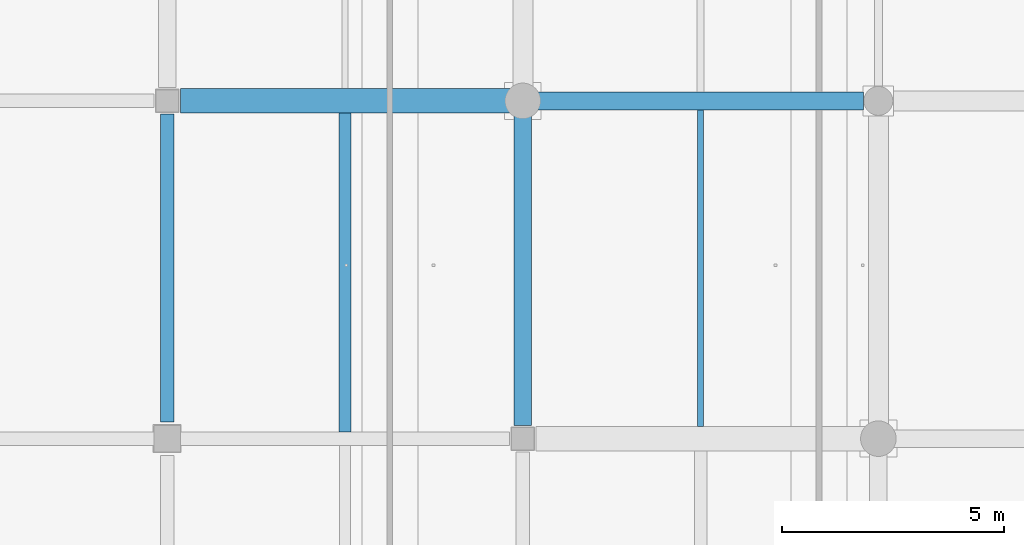
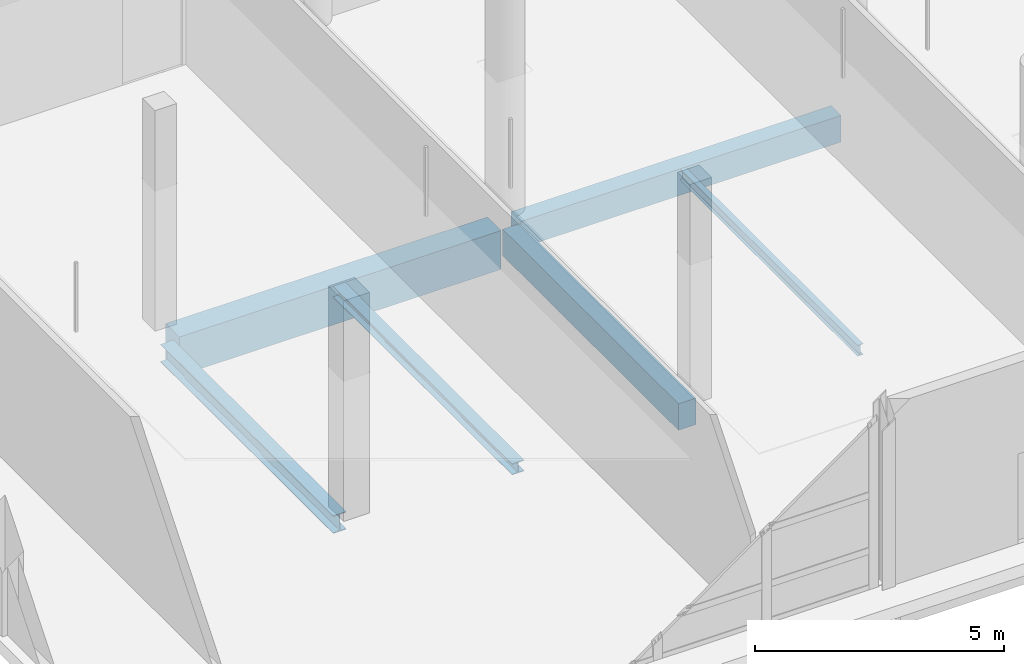
# One storey, part 38 of 126: 6 beams.
"""IFC4 building model written with IfcOpenShell, lengths in metres."""

from ifc_helpers import new_model, si_unit, direction, frame, origin, origin_2d, place, context, subcontext, project, spatial, rectangle, i_section, extrude, material, material_profile, profile_set, type_object, element, save


model = new_model("IFC4")

# Units and contexts
model_context = context("Model", 3, precision=1e-05, world=origin(), true_north=direction((0.0, 1.0)))
body_context = subcontext(model_context, "Body", "Model", "MODEL_VIEW")
ifc_project = project(units=[si_unit("LENGTHUNIT", "METRE"), si_unit("AREAUNIT", "SQUARE_METRE"), si_unit("VOLUMEUNIT", "CUBIC_METRE"), si_unit("PLANEANGLEUNIT", "RADIAN"), si_unit("MASSUNIT", "GRAM", prefix="KILO")], contexts=[model_context])

# Site, building, storey
site_placement = place(None, origin())
site = spatial("IfcSite", under=ifc_project, at=site_placement, CompositionType="ELEMENT")
building_placement = place(site_placement, origin())
building = spatial("IfcBuilding", under=site, at=building_placement, Name="Khelvaren Railside Concert Hall", CompositionType="ELEMENT")
storey_placement = place(building_placement, origin())
storey = spatial("IfcBuildingStorey", under=building, at=storey_placement, Name="L00", CompositionType="ELEMENT", Elevation=0.0)

# Beams
ifc_material_1 = material(Name="Concrete C40/50", Category="concrete")
ifc_material_profile_1 = material_profile(ifc_material_1, rectangle(XDim=0.39990234375, YDim=0.64990234375, at=origin_2d()), Name="RCB 400x650")
ifc_profile_set_1 = profile_set([ifc_material_profile_1], Name="Concrete C40/50")
beam_type_1 = type_object("IfcBeamType", Name="BM33", PredefinedType="BEAM", material=ifc_profile_set_1)
beam_1_placement = place(storey_placement, frame((168.25, 15.199951171875, -0.64501953125), z_axis=(1.0, 0.0, 0.0), x_axis=(0.0, 1.0, 0.0)))
element("IfcBeam", 1, at=beam_1_placement, inside=storey, type_object=beam_type_1, Name="V2 L00 Beam X3.4", PredefinedType="BEAM", context=body_context, shape_type="SweptSolid", body=[
    extrude(rectangle(XDim=0.39990234375, YDim=0.64990234375, at=origin_2d()), origin(), (0.0, 0.0, 1.0), 7.4140625),
])
beam_2_placement = place(storey_placement, frame((168.0, 7.89990234375, -0.64501953125), z_axis=(0.0, 1.0, 0.0), x_axis=(-1.0, 0.0, 0.0)))
element("IfcBeam", 2, at=beam_2_placement, inside=storey, type_object=beam_type_1, Name="V2 L00 Beam Y4.2", PredefinedType="BEAM", context=body_context, shape_type="SweptSolid", body=[
    extrude(rectangle(XDim=0.39990234375, YDim=0.64990234375, at=origin_2d()), origin(), (0.0, 0.0, 1.0), 7.050048828125),
])
ifc_material_2 = material(Name="Steel S355", Category="steel")
ifc_material_profile_2 = material_profile(ifc_material_2, i_section(OverallWidth=0.300048828125, OverallDepth=0.43994140625, WebThickness=0.011474609375, FlangeThickness=0.02099609375, FilletRadius=0.027099609375, at=origin_2d()), Name="HEA 450")
ifc_profile_set_2 = profile_set([ifc_material_profile_2], Name="Steel S355")
beam_type_2 = type_object("IfcBeamType", Name="BM89", PredefinedType="BEAM", material=ifc_profile_set_2)
beam_3_placement = place(storey_placement, frame((160.0, 7.97509765625, -0.5400390625), z_axis=(0.0, 1.0, 0.0), x_axis=(-1.0, 0.0, 0.0)))
element("IfcBeam", 3, at=beam_3_placement, inside=storey, type_object=beam_type_2, Name="V2 L00 Beam Y3.2", PredefinedType="BEAM", context=body_context, shape_type="SweptSolid", body=[
    extrude(i_section(OverallWidth=0.300048828125, OverallDepth=0.43994140625, WebThickness=0.011474609375, FlangeThickness=0.02099609375, FilletRadius=0.027099609375, at=origin_2d()), origin(), (0.0, 0.0, 1.0), 6.9248046875),
])
ifc_material_profile_3 = material_profile(ifc_material_1, rectangle(XDim=0.550048828125, YDim=0.949951171875, at=origin_2d()), Name="RCB 550x950")
ifc_profile_set_3 = profile_set([ifc_material_profile_3], Name="Concrete C40/50")
beam_type_3 = type_object("IfcBeamType", Name="GR57", PredefinedType="T_BEAM", material=ifc_profile_set_3)
beam_4_placement = place(storey_placement, frame((160.300048828125, 15.199951171875, -0.794921875), z_axis=(1.0, 0.0, 0.0), x_axis=(0.0, 1.0, 0.0)))
element("IfcBeam", 4, at=beam_4_placement, inside=storey, type_object=beam_type_3, Name="V2 L00 T_Beam X3.3", PredefinedType="T_BEAM", context=body_context, shape_type="SweptSolid", body=[
    extrude(rectangle(XDim=0.550048828125, YDim=0.949951171875, at=origin_2d()), origin(), (0.0, 0.0, 1.0), 7.449951171875),
])
ifc_material_profile_4 = material_profile(ifc_material_2, i_section(OverallWidth=0.280029296875, OverallDepth=0.27001953125, WebThickness=0.008056640625, FlangeThickness=0.012939453125, FilletRadius=0.02392578125, at=origin_2d()), Name="HEA 280")
ifc_profile_set_4 = profile_set([ifc_material_profile_4], Name="Steel S355")
beam_type_4 = type_object("IfcBeamType", Name="JS46", PredefinedType="JOIST", material=ifc_profile_set_4)
beam_5_placement = place(storey_placement, frame((164.0, 7.75, -0.455078125), z_axis=(0.0, 1.0, 0.0), x_axis=(-1.0, 0.0, 0.0)))
element("IfcBeam", 5, at=beam_5_placement, inside=storey, type_object=beam_type_4, Name="V2 L00 Secondary Joist 3.2", PredefinedType="JOIST", context=body_context, shape_type="SweptSolid", body=[
    extrude(i_section(OverallWidth=0.280029296875, OverallDepth=0.27001953125, WebThickness=0.008056640625, FlangeThickness=0.012939453125, FilletRadius=0.02392578125, at=origin_2d()), origin(), (0.0, 0.0, 1.0), 7.175048828125),
])
ifc_material_profile_5 = material_profile(ifc_material_2, i_section(OverallWidth=0.135009765625, OverallDepth=0.27001953125, WebThickness=0.006591796875, FlangeThickness=0.01025390625, FilletRadius=0.014892578125, at=origin_2d()), Name="IPE 270")
ifc_profile_set_5 = profile_set([ifc_material_profile_5], Name="Steel S355")
beam_type_5 = type_object("IfcBeamType", Name="JS78", PredefinedType="JOIST", material=ifc_profile_set_5)
beam_6_placement = place(storey_placement, frame((172.0, 7.875, -0.455078125), z_axis=(0.0, 1.0, 0.0), x_axis=(-1.0, 0.0, 0.0)))
element("IfcBeam", 6, at=beam_6_placement, inside=storey, type_object=beam_type_5, Name="V2 L00 Secondary Joist 4.2", PredefinedType="JOIST", context=body_context, shape_type="SweptSolid", body=[
    extrude(i_section(OverallWidth=0.135009765625, OverallDepth=0.27001953125, WebThickness=0.006591796875, FlangeThickness=0.01025390625, FilletRadius=0.014892578125, at=origin_2d()), origin(), (0.0, 0.0, 1.0), 7.125),
])

save(model, "model.ifc")
